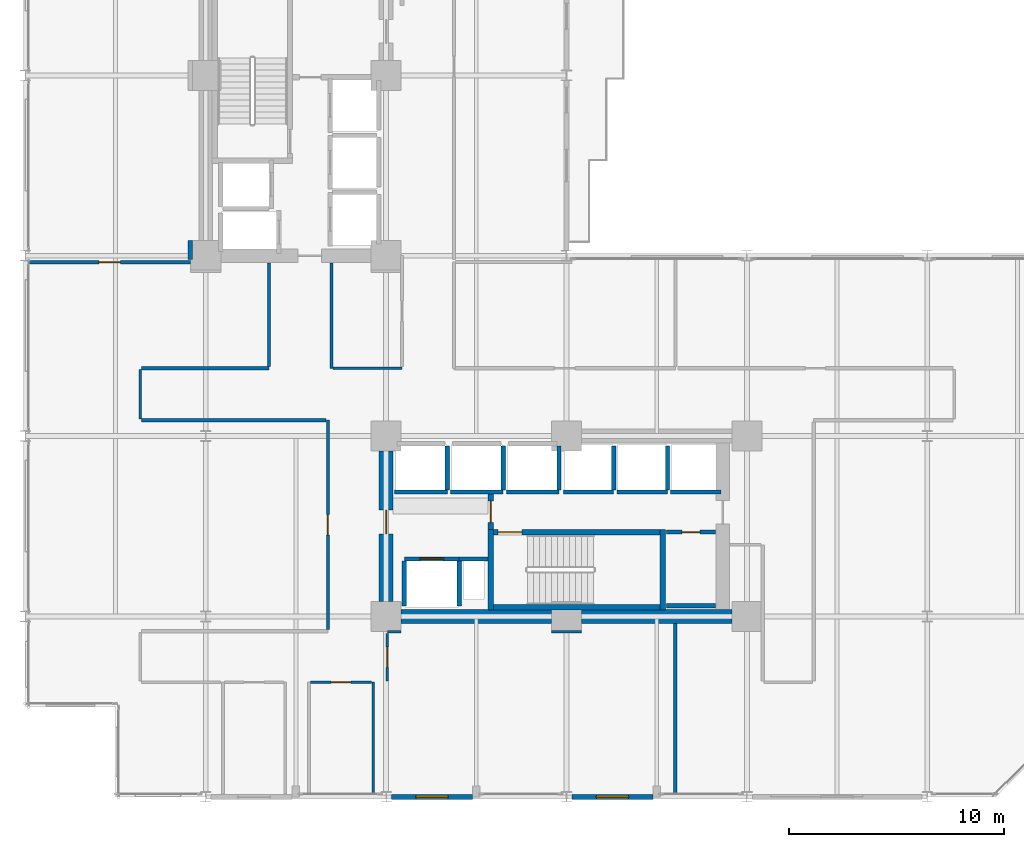
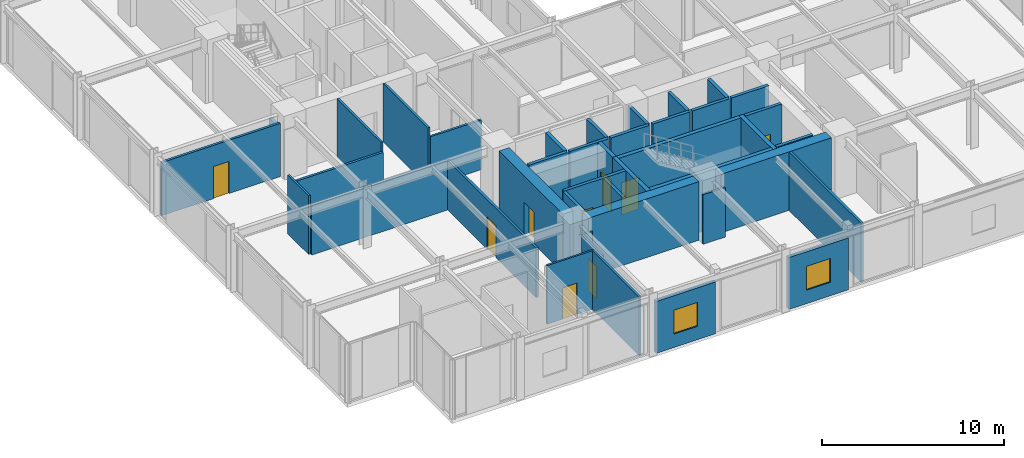
# One storey, part 19 of 24: 42 walls, 9 doors, 2 windows, 11 openings.
"""IFC4 building model written with IfcOpenShell, lengths in metres."""

import ifcopenshell
import ifcopenshell.guid

model = None  # the IFC model being written
_history = None  # IfcOwnerHistory: only IFC2X3 demands one
_inside = {}  # id of a spatial element -> (the spatial element, [elements in it])
_under = {}  # id of a project, library or spatial element -> (it, [spatial elements below it])
_declared = {}  # id of a project -> (the project, [libraries it declares])
_typed = {}  # id of a type object -> (the type object, [elements of that type])
_made_of = {}  # id of a material, layer set ... -> (it, [elements and type objects made of it])


def new_model(schema):
    """Start an empty IFC model of exactly this schema.

    Asked for "IFC4X3", IfcOpenShell would pick the latest addendum, in which some entities
    have other attributes; the version numbers below select the first issue.
    IFC2X3 requires an IfcOwnerHistory on every rooted entity: one is made here for all.
    """
    global model, _history
    if schema == "IFC4X3":
        model = ifcopenshell.file(schema_version=(4, 3, 0, 0))
    else:
        model = ifcopenshell.file(schema=schema)
    _inside.clear()
    _under.clear()
    _declared.clear()
    _typed.clear()
    _made_of.clear()
    _history = None
    if model.schema == "IFC2X3":
        org = make("IfcOrganization", Name="unknown")
        user = make(
            "IfcPersonAndOrganization",
            ThePerson=make("IfcPerson", FamilyName="unknown"),
            TheOrganization=org,
        )
        app = make(
            "IfcApplication",
            ApplicationDeveloper=org,
            Version="unknown",
            ApplicationFullName="unknown",
            ApplicationIdentifier="unknown",
        )
        _history = make(
            "IfcOwnerHistory",
            OwningUser=user,
            OwningApplication=app,
            ChangeAction="ADDED",
            CreationDate=0,
        )
    return model


def make(cls, **values):
    """One entity of the class cls with the attributes given. An attribute that is None is left unset."""
    return model.create_entity(
        cls, **{name: value for name, value in values.items() if value is not None}
    )


def rooted(cls, **values):
    """An entity with a GlobalId (a new one), such as an element, a storey or a relation."""
    return make(cls, GlobalId=ifcopenshell.guid.new(), OwnerHistory=_history, **values)


def si_unit(unit_type, name, prefix=None):
    """IfcSIUnit, for example si_unit("LENGTHUNIT", "METRE", prefix="MILLI")."""
    return make("IfcSIUnit", UnitType=unit_type, Prefix=prefix, Name=name)


def assignment(units):
    """IfcUnitAssignment: the units of a project."""
    return None if units is None else make("IfcUnitAssignment", Units=units)


def point(xyz):
    """IfcCartesianPoint."""
    return None if xyz is None else make("IfcCartesianPoint", Coordinates=xyz)


def direction(xyz):
    """IfcDirection."""
    return None if xyz is None else make("IfcDirection", DirectionRatios=xyz)


def frame(location, z_axis=None, x_axis=None):
    """IfcAxis2Placement3D, a coordinate frame: its origin and axes. An axis left out is left unset."""
    return make(
        "IfcAxis2Placement3D",
        Location=point(location),
        Axis=direction(z_axis),
        RefDirection=direction(x_axis),
    )


def frame_2d(location, x_axis=None):
    """IfcAxis2Placement2D, a coordinate frame in the plane: its origin and x axis."""
    return make(
        "IfcAxis2Placement2D", Location=point(location), RefDirection=direction(x_axis)
    )


def origin():
    """The frame at (0, 0, 0) with its axes left unset."""
    return frame((0.0, 0.0, 0.0))


def place(relative_to, where):
    """IfcLocalPlacement: puts the frame where relative to a parent placement (None: the world)."""
    return make(
        "IfcLocalPlacement", PlacementRelTo=relative_to, RelativePlacement=where
    )


def context(
    kind, dimensions, precision=None, world=None, true_north=None, identifier=None
):
    """IfcGeometricRepresentationContext, for example the 3D "Model" context."""
    return make(
        "IfcGeometricRepresentationContext",
        ContextIdentifier=identifier,
        ContextType=kind,
        CoordinateSpaceDimension=dimensions,
        Precision=precision,
        WorldCoordinateSystem=world,
        TrueNorth=true_north,
    )


def subcontext(parent, identifier, kind, view, scale=None):
    """IfcGeometricRepresentationSubContext, for example "Body" below "Model"."""
    return make(
        "IfcGeometricRepresentationSubContext",
        ContextIdentifier=identifier,
        ContextType=kind,
        ParentContext=parent,
        TargetScale=scale,
        TargetView=view,
    )


def project(units=None, contexts=None):
    """IfcProject with its units and contexts."""
    return rooted(
        "IfcProject",
        Name="project",
        RepresentationContexts=contexts,
        UnitsInContext=assignment(units),
    )


def spatial(cls, under=None, at=None, **own):
    """A site, building, storey or space (cls), placed at a placement, below another one or the project."""
    s = rooted(cls, ObjectPlacement=at, **own)
    if under is not None:
        _under.setdefault(under.id(), (under, []))[1].append(s)
    return s


def profile(cls, at=None, kind="AREA", **sizes):
    """A parametric profile (cls). Its sizes go by their IFC names, for example OverallWidth=200.0."""
    return make(cls, ProfileType=kind, Position=at, **sizes)


def rectangle(**sizes):
    """IfcRectangleProfileDef."""
    return profile("IfcRectangleProfileDef", **sizes)


def extrude(swept, where, along, depth):
    """IfcExtrudedAreaSolid: the profile swept, set in the frame where, extruded along a direction by depth."""
    return make(
        "IfcExtrudedAreaSolid",
        SweptArea=swept,
        Position=where,
        ExtrudedDirection=direction(along),
        Depth=depth,
    )


def shape(context_of_items, identifier, shape_type, items):
    """IfcShapeRepresentation: the items that make up one representation, for example the "Body"."""
    return make(
        "IfcShapeRepresentation",
        ContextOfItems=context_of_items,
        RepresentationIdentifier=identifier,
        RepresentationType=shape_type,
        Items=items,
    )


def material(Name=None, Category=None):
    """IfcMaterial."""
    return make("IfcMaterial", Name=Name, Category=Category)


def layer(
    of_material, thickness, ventilated=None, Name=None, Category=None, Priority=None
):
    """IfcMaterialLayer: one layer of a wall or slab, of a material (None: an air gap)."""
    return make(
        "IfcMaterialLayer",
        Material=of_material,
        LayerThickness=thickness,
        IsVentilated=ventilated,
        Name=Name,
        Category=Category,
        Priority=Priority,
    )


def layer_set(layers, Name=None):
    """IfcMaterialLayerSet."""
    return make("IfcMaterialLayerSet", MaterialLayers=layers, LayerSetName=Name)


def made_of(thing, what):
    """Note that an element or type object is made of a material, layer set ...; save() writes the relation."""
    if what is not None:
        _made_of.setdefault(what.id(), (what, []))[1].append(thing)
    return thing


def type_object(cls, material=None, **own):
    """A type object (cls), such as IfcWallType, which elements share."""
    return made_of(rooted(cls, **own), material)


def element(
    cls,
    number,
    at=None,
    inside=None,
    cuts=None,
    type_object=None,
    material=None,
    context=None,
    identifier="Body",
    shape_type=None,
    held_by="IfcProductDefinitionShape",
    body=None,
    shapes=None,
    **own,
):
    """One element of the class cls, such as IfcWall. Its Tag is "e" and its number.

    at: its placement. inside: the storey or other place that contains it. cuts: it is an
    opening in that element (IfcRelVoidsElement). A single representation is given by context,
    identifier, shape_type and body (its items); several are given by shapes. held_by: the class
    of the entity that holds the representations. save() writes the other relations.
    """
    e = rooted(cls, Tag="e%d" % number, ObjectPlacement=at, **own)
    if body is not None:
        shapes = [shape(context, identifier, shape_type, body)]
    if shapes is not None:
        e.Representation = make(held_by, Representations=shapes)
    if inside is not None:
        _inside.setdefault(inside.id(), (inside, []))[1].append(e)
    if cuts is not None:
        rooted(
            "IfcRelVoidsElement", RelatingBuildingElement=cuts, RelatedOpeningElement=e
        )
    if type_object is not None:
        _typed.setdefault(type_object.id(), (type_object, []))[1].append(e)
    return made_of(e, material)


def fill(opening, filler):
    """IfcRelFillsElement: the door or window that sits in an opening."""
    return rooted(
        "IfcRelFillsElement",
        RelatingOpeningElement=opening,
        RelatedBuildingElement=filler,
    )


def aggregate(whole, parts):
    """IfcRelAggregates: a whole, such as a stair, and the parts it consists of."""
    return rooted("IfcRelAggregates", RelatingObject=whole, RelatedObjects=parts)


def save(model, path):
    """Write the relations noted so far, then the file.

    IfcRelAggregates (storeys below a building ...), IfcRelContainedInSpatialStructure (elements
    in a storey), IfcRelDefinesByType, IfcRelAssociatesMaterial and IfcRelDeclares: one each for
    every whole, place, type object, material and project.
    """
    for whole, parts in _under.values():
        aggregate(whole, parts)
    for where, things in _inside.values():
        rooted(
            "IfcRelContainedInSpatialStructure",
            RelatedElements=things,
            RelatingStructure=where,
        )
    for kind, things in _typed.values():
        rooted("IfcRelDefinesByType", RelatedObjects=things, RelatingType=kind)
    for what, things in _made_of.values():
        rooted("IfcRelAssociatesMaterial", RelatedObjects=things, RelatingMaterial=what)
    for by, libraries in _declared.values():
        rooted("IfcRelDeclares", RelatingContext=by, RelatedDefinitions=libraries)
    model.write(path)


model = new_model("IFC4")

# Units and contexts
model_context = context("Model", 3, precision=1e-05, world=origin(), true_north=direction((0.0, 1.0)))
body_context = subcontext(model_context, "Body", "Model", "MODEL_VIEW")
ifc_project = project(units=[si_unit("LENGTHUNIT", "METRE"), si_unit("AREAUNIT", "SQUARE_METRE"), si_unit("VOLUMEUNIT", "CUBIC_METRE"), si_unit("PLANEANGLEUNIT", "RADIAN"), si_unit("MASSUNIT", "GRAM", prefix="KILO")], contexts=[model_context])

# Site, building, storey
site_placement = place(None, origin())
site = spatial("IfcSite", under=ifc_project, at=site_placement, CompositionType="ELEMENT")
building_placement = place(site_placement, origin())
building = spatial("IfcBuilding", under=site, at=building_placement, Name="Nerrivon Quay Data Exchange", CompositionType="ELEMENT")
storey_placement = place(building_placement, frame((0.0, 0.0, 45.800048828125)))
storey = spatial("IfcBuildingStorey", under=building, at=storey_placement, Name="L10", CompositionType="ELEMENT", Elevation=45.800048828125)

# Wall, opening, window
ifc_material_1 = material(Name="Architectural terracotta precast concrete N50 (50 MPa)", Category="masonry")
ifc_layer_1 = layer(ifc_material_1, 0.239990234375)
ifc_layer_set_1 = layer_set([ifc_layer_1], Name="Architectural terracotta precast concrete N50 (50 MPa)")
wall_type_1 = type_object("IfcWallType", Name="EW-PREC-240", PredefinedType="STANDARD", material=ifc_layer_set_1)
wall_1_placement = place(storey_placement, frame((29.22509765625, 0.0, 0.0), z_axis=(0.0, 0.0, 1.0), x_axis=(-1.0, 0.0, 0.0)))
wall_1 = element("IfcWall", 1, at=wall_1_placement, inside=storey, type_object=wall_type_1, Name="L10 Podium Precast Spandrel Wall 5", PredefinedType="STANDARD", context=body_context, shape_type="SweptSolid", body=[
    extrude(rectangle(XDim=3.775146484375, YDim=0.239990234375, at=frame_2d((1.8876953125, 0.0))), origin(), (0.0, 0.0, 1.0), 3.470947265625),
])
opening_1_placement = place(wall_1_placement, frame((1.137451171875, 0.0, 0.89990234375)))
opening_1 = element("IfcOpeningElement", 2, at=opening_1_placement, cuts=wall_1, Name="Opening WN4", PredefinedType="OPENING", context=body_context, shape_type="SweptSolid", body=[
    extrude(rectangle(XDim=1.5, YDim=1.60009765625, at=frame_2d((0.75, 0.800048828125))), frame((0.0, 0.1298828125, 0.0), z_axis=(0.0, -1.0, 0.0), x_axis=(1.0, 0.0, 0.0)), (0.0, 0.0, 1.0), 0.260009765625),
])
ifc_material_2 = material(Name="Double-glazed low-E solar control glass", Category="glass")
window_type = type_object("IfcWindowType", Name="WIN-W4-1500x1600", PartitioningType="SINGLE_PANEL", PredefinedType="WINDOW", material=ifc_material_2)
window_1_placement = place(opening_1_placement, origin())
window_1 = element("IfcWindow", 3, at=window_1_placement, inside=storey, type_object=window_type, Name="L10 Solar Facade Window 5", OverallHeight=1.60009765625, OverallWidth=1.5, PartitioningType="SINGLE_PANEL", PredefinedType="WINDOW", context=body_context, shape_type="SweptSolid", body=[
    extrude(rectangle(XDim=1.5, YDim=1.60009765625, at=frame_2d((0.75, 0.800048828125))), frame((0.0, 0.030029296875, 0.0), z_axis=(0.0, -1.0, 0.0), x_axis=(1.0, 0.0, 0.0)), (0.0, 0.0, 1.0), 0.06005859375),
])
fill(opening_1, window_1)

wall_2_placement = place(storey_placement, frame((20.824951171875, 0.0, 0.0), z_axis=(0.0, 0.0, 1.0), x_axis=(-1.0, 0.0, 0.0)))
wall_2 = element("IfcWall", 4, at=wall_2_placement, inside=storey, type_object=wall_type_1, Name="L10 Podium Precast Spandrel Wall 7", PredefinedType="STANDARD", context=body_context, shape_type="SweptSolid", body=[
    extrude(rectangle(XDim=3.77490234375, YDim=0.239990234375, at=frame_2d((1.887451171875, 0.0))), origin(), (0.0, 0.0, 1.0), 3.470947265625),
])
opening_2_placement = place(wall_2_placement, frame((1.137451171875, 0.0, 0.89990234375)))
opening_2 = element("IfcOpeningElement", 5, at=opening_2_placement, cuts=wall_2, Name="Opening WN4", PredefinedType="OPENING", context=body_context, shape_type="SweptSolid", body=[
    extrude(rectangle(XDim=1.5, YDim=1.60009765625, at=frame_2d((0.75, 0.800048828125))), frame((0.0, 0.1298828125, 0.0), z_axis=(0.0, -1.0, 0.0), x_axis=(1.0, 0.0, 0.0)), (0.0, 0.0, 1.0), 0.260009765625),
])
window_2_placement = place(opening_2_placement, origin())
window_2 = element("IfcWindow", 6, at=window_2_placement, inside=storey, type_object=window_type, Name="L10 Solar Facade Window 7", OverallHeight=1.60009765625, OverallWidth=1.5, PartitioningType="SINGLE_PANEL", PredefinedType="WINDOW", context=body_context, shape_type="SweptSolid", body=[
    extrude(rectangle(XDim=1.5, YDim=1.60009765625, at=frame_2d((0.75, 0.800048828125))), frame((0.0, 0.030029296875, 0.0), z_axis=(0.0, -1.0, 0.0), x_axis=(1.0, 0.0, 0.0)), (0.0, 0.0, 1.0), 0.06005859375),
])
fill(opening_2, window_2)

# Walls
ifc_material_3 = material(Name="Concrete N80 (80 MPa)", Category="concrete")
ifc_layer_2 = layer(ifc_material_3, 0.64990234375)
ifc_layer_set_2 = layer_set([ifc_layer_2], Name="Concrete N80 (80 MPa)")
wall_type_2 = type_object("IfcWallType", Name="WALL-CW-850", PredefinedType="SHEAR", material=ifc_layer_set_2)
for number, where, z_axis, x_axis, name in (
    (7, (17.5, 8.39990234375, 0.0), (0.0, 0.0, 1.0), (1.0, 0.0, 0.0), "L10 East Split-Core Shear Wall ECW-S1"),
    (8, (25.89990234375, 8.39990234375, 0.0), (0.0, 0.0, 1.0), (1.0, 0.0, 0.0), "L10 East Split-Core Shear Wall ECW-S2"),
):
    element("IfcWall", number, at=place(storey_placement, frame(where, z_axis=z_axis, x_axis=x_axis)), inside=storey, type_object=wall_type_2, Name=name, PredefinedType="SHEAR", context=body_context, shape_type="SweptSolid", body=[
        extrude(rectangle(XDim=7.0, YDim=0.64990234375, at=frame_2d((3.5, 0.0))), origin(), (0.0, 0.0, 1.0), 3.925048828125),
    ])

# Wall, opening, door
wall_3_placement = place(storey_placement, frame((16.800048828125, 9.10009765625, 0.0), z_axis=(0.0, 0.0, 1.0), x_axis=(0.0, 1.0, 0.0)))
wall_3 = element("IfcWall", 9, at=wall_3_placement, inside=storey, type_object=wall_type_2, Name="L10 East Split-Core Shear Wall ECW-W1", PredefinedType="SHEAR", context=body_context, shape_type="SweptSolid", body=[
    extrude(rectangle(XDim=7.0, YDim=0.64990234375, at=frame_2d((3.5, 0.0))), origin(), (0.0, 0.0, 1.0), 3.925048828125),
])
opening_3_placement = place(wall_3_placement, frame((3.14990234375, 0.0, 0.0)))
opening_3 = element("IfcOpeningElement", 10, at=opening_3_placement, cuts=wall_3, Name="Opening FD-120", PredefinedType="OPENING", context=body_context, shape_type="SweptSolid", body=[
    extrude(rectangle(XDim=1.10009765625, YDim=2.14990234375, at=frame_2d((0.550048828125, 1.074951171875))), frame((0.0, 0.3349609375, 0.0), z_axis=(0.0, -1.0, 0.0), x_axis=(1.0, 0.0, 0.0)), (0.0, 0.0, 1.0), 0.669921875),
])
ifc_material_4 = material(Name="Powder-coated galvanized steel sheet", Category="steel")
door_type_1 = type_object("IfcDoorType", Name="DR-FD120-1100", OperationType="NOTDEFINED", PredefinedType="DOOR", material=ifc_material_4)
door_1_placement = place(opening_3_placement, origin())
door_1 = element("IfcDoor", 11, at=door_1_placement, inside=storey, type_object=door_type_1, Name="L10 East Core Lobby Fire Door", OperationType="SINGLE_SWING_RIGHT", OverallHeight=2.14990234375, OverallWidth=1.10009765625, PredefinedType="DOOR", context=body_context, shape_type="SweptSolid", body=[
    extrude(rectangle(XDim=1.10009765625, YDim=2.14990234375, at=frame_2d((0.550048828125, 1.074951171875))), frame((0.0, 0.02490234375, 0.0), z_axis=(0.0, -1.0, 0.0), x_axis=(1.0, 0.0, 0.0)), (0.0, 0.0, 1.0), 0.050048828125),
])
fill(opening_3, door_1)

# Wall
ifc_material_5 = material(Name="Gypsum plasterboard on cold-formed framing", Category="gypsum")
ifc_layer_3 = layer(ifc_material_5, 0.199951171875)
ifc_layer_set_3 = layer_set([ifc_layer_3], Name="Gypsum plasterboard on cold-formed framing")
wall_type_3 = type_object("IfcWallType", Name="WALL-FW-200", PredefinedType="PARTITIONING", material=ifc_layer_set_3)
wall_4_placement = place(storey_placement, frame((20.199951171875, 11.080078125, 0.0), z_axis=(0.0, 0.0, 1.0), x_axis=(1.0, 0.0, 0.0)))
element("IfcWall", 12, at=wall_4_placement, inside=storey, type_object=wall_type_3, Name="L10 East Core MEP Riser Shaft Wall N", PredefinedType="PARTITIONING", context=body_context, shape_type="SweptSolid", body=[
    extrude(rectangle(XDim=1.35009765625, YDim=0.199951171875, at=frame_2d((0.675048828125, 0.0))), origin(), (0.0, 0.0, 1.0), 3.925048828125),
])

# Wall, opening, door
wall_5_placement = place(storey_placement, frame((17.64990234375, 11.080078125, 0.0), z_axis=(0.0, 0.0, 1.0), x_axis=(1.0, 0.0, 0.0)))
wall_5 = element("IfcWall", 13, at=wall_5_placement, inside=storey, type_object=wall_type_3, Name="L10 Lift Front Wall FFL-2", PredefinedType="PARTITIONING", context=body_context, shape_type="SweptSolid", body=[
    extrude(rectangle(XDim=2.550048828125, YDim=0.199951171875, at=frame_2d((1.27490234375, 0.0))), origin(), (0.0, 0.0, 1.0), 3.925048828125),
])
opening_4_placement = place(wall_5_placement, frame((0.72509765625, 0.0, 0.0)))
opening_4 = element("IfcOpeningElement", 14, at=opening_4_placement, cuts=wall_5, Name="Opening LD-120", PredefinedType="OPENING", context=body_context, shape_type="SweptSolid", body=[
    extrude(rectangle(XDim=1.10009765625, YDim=2.199951171875, at=frame_2d((0.550048828125, 1.10009765625))), frame((0.0, 0.10986328125, 0.0), z_axis=(0.0, -1.0, 0.0), x_axis=(1.0, 0.0, 0.0)), (0.0, 0.0, 1.0), 0.219970703125),
])
door_type_2 = type_object("IfcDoorType", Name="DR-LIFT-LD120", OperationType="DOUBLE_DOOR_SLIDING", PredefinedType="DOOR", material=ifc_material_4)
door_2_placement = place(opening_4_placement, origin())
door_2 = element("IfcDoor", 15, at=door_2_placement, inside=storey, type_object=door_type_2, Name="L10 Lift Landing Sliding Door FFL-2", OperationType="DOUBLE_DOOR_SLIDING", OverallHeight=2.199951171875, OverallWidth=1.10009765625, PredefinedType="DOOR", context=body_context, shape_type="SweptSolid", body=[
    extrude(rectangle(XDim=1.10009765625, YDim=2.199951171875, at=frame_2d((0.550048828125, 1.10009765625))), frame((0.0, 0.02490234375, 0.0), z_axis=(0.0, -1.0, 0.0), x_axis=(1.0, 0.0, 0.0)), (0.0, 0.0, 1.0), 0.050048828125),
])
fill(opening_4, door_2)

# Walls
for number, where, z_axis, x_axis, name in (
    (16, (20.199951171875, 8.8798828125, 0.0), (0.0, 0.0, 1.0), (0.0, 1.0, 0.0), "L10 Lift Shaft Wall FFL-2 EAST"),
    (17, (17.64990234375, 8.8798828125, 0.0), (0.0, 0.0, 1.0), (0.0, 1.0, 0.0), "L10 Lift Shaft Wall FFL-2 WEST"),
):
    element("IfcWall", number, at=place(storey_placement, frame(where, z_axis=z_axis, x_axis=x_axis)), inside=storey, type_object=wall_type_3, Name=name, PredefinedType="PARTITIONING", context=body_context, shape_type="SweptSolid", body=[
        extrude(rectangle(XDim=2.10009765625, YDim=0.199951171875, at=frame_2d((1.050048828125, 0.0))), origin(), (0.0, 0.0, 1.0), 3.925048828125),
    ])
wall_6_placement = place(storey_placement, frame((17.199951171875, 14.199951171875, 0.0), z_axis=(0.0, 0.0, 1.0), x_axis=(1.0, 0.0, 0.0)))
element("IfcWall", 18, at=wall_6_placement, inside=storey, type_object=wall_type_3, Name="L10 Lift Front Wall PL4", PredefinedType="PARTITIONING", context=body_context, shape_type="SweptSolid", body=[
    extrude(rectangle(XDim=2.449951171875, YDim=0.199951171875, at=frame_2d((1.22509765625, 0.0))), origin(), (0.0, 0.0, 1.0), 3.925048828125),
])
wall_7_placement = place(storey_placement, frame((19.64990234375, 14.300048828125, 0.0), z_axis=(0.0, 0.0, 1.0), x_axis=(0.0, 1.0, 0.0)))
element("IfcWall", 19, at=wall_7_placement, inside=storey, type_object=wall_type_3, Name="L10 Lift Shaft Wall PL4 EAST", PredefinedType="PARTITIONING", context=body_context, shape_type="SweptSolid", body=[
    extrude(rectangle(XDim=2.050048828125, YDim=0.199951171875, at=frame_2d((1.02490234375, 0.0))), origin(), (0.0, 0.0, 1.0), 3.925048828125),
])
wall_8_placement = place(storey_placement, frame((19.800048828125, 14.199951171875, 0.0), z_axis=(0.0, 0.0, 1.0), x_axis=(1.0, 0.0, 0.0)))
element("IfcWall", 20, at=wall_8_placement, inside=storey, type_object=wall_type_3, Name="L10 Lift Front Wall PL5", PredefinedType="PARTITIONING", context=body_context, shape_type="SweptSolid", body=[
    extrude(rectangle(XDim=2.449951171875, YDim=0.199951171875, at=frame_2d((1.22509765625, 0.0))), origin(), (0.0, 0.0, 1.0), 3.925048828125),
])
wall_9_placement = place(storey_placement, frame((22.25, 14.300048828125, 0.0), z_axis=(0.0, 0.0, 1.0), x_axis=(0.0, 1.0, 0.0)))
element("IfcWall", 21, at=wall_9_placement, inside=storey, type_object=wall_type_3, Name="L10 Lift Shaft Wall PL5 EAST", PredefinedType="PARTITIONING", context=body_context, shape_type="SweptSolid", body=[
    extrude(rectangle(XDim=2.050048828125, YDim=0.199951171875, at=frame_2d((1.02490234375, 0.0))), origin(), (0.0, 0.0, 1.0), 3.925048828125),
])
wall_10_placement = place(storey_placement, frame((22.39990234375, 14.199951171875, 0.0), z_axis=(0.0, 0.0, 1.0), x_axis=(1.0, 0.0, 0.0)))
element("IfcWall", 22, at=wall_10_placement, inside=storey, type_object=wall_type_3, Name="L10 Lift Front Wall PL6", PredefinedType="PARTITIONING", context=body_context, shape_type="SweptSolid", body=[
    extrude(rectangle(XDim=2.4501953125, YDim=0.199951171875, at=frame_2d((1.22509765625, 0.0))), origin(), (0.0, 0.0, 1.0), 3.925048828125),
])
wall_11_placement = place(storey_placement, frame((24.85009765625, 14.300048828125, 0.0), z_axis=(0.0, 0.0, 1.0), x_axis=(0.0, 1.0, 0.0)))
element("IfcWall", 23, at=wall_11_placement, inside=storey, type_object=wall_type_3, Name="L10 Lift Shaft Wall PL6 EAST", PredefinedType="PARTITIONING", context=body_context, shape_type="SweptSolid", body=[
    extrude(rectangle(XDim=2.050048828125, YDim=0.199951171875, at=frame_2d((1.02490234375, 0.0))), origin(), (0.0, 0.0, 1.0), 3.925048828125),
])
wall_12_placement = place(storey_placement, frame((25.050048828125, 14.199951171875, 0.0), z_axis=(0.0, 0.0, 1.0), x_axis=(1.0, 0.0, 0.0)))
element("IfcWall", 24, at=wall_12_placement, inside=storey, type_object=wall_type_3, Name="L10 Lift Front Wall PL7", PredefinedType="PARTITIONING", context=body_context, shape_type="SweptSolid", body=[
    extrude(rectangle(XDim=2.349853515625, YDim=0.199951171875, at=frame_2d((1.1748046875, 0.0))), origin(), (0.0, 0.0, 1.0), 3.925048828125),
])
wall_13_placement = place(storey_placement, frame((27.39990234375, 14.300048828125, 0.0), z_axis=(0.0, 0.0, 1.0), x_axis=(0.0, 1.0, 0.0)))
element("IfcWall", 25, at=wall_13_placement, inside=storey, type_object=wall_type_3, Name="L10 Lift Shaft Wall PL7 EAST", PredefinedType="PARTITIONING", context=body_context, shape_type="SweptSolid", body=[
    extrude(rectangle(XDim=2.050048828125, YDim=0.199951171875, at=frame_2d((1.02490234375, 0.0))), origin(), (0.0, 0.0, 1.0), 3.925048828125),
])
wall_14_placement = place(storey_placement, frame((27.550048828125, 14.199951171875, 0.0), z_axis=(0.0, 0.0, 1.0), x_axis=(1.0, 0.0, 0.0)))
element("IfcWall", 26, at=wall_14_placement, inside=storey, type_object=wall_type_3, Name="L10 Lift Front Wall PL8", PredefinedType="PARTITIONING", context=body_context, shape_type="SweptSolid", body=[
    extrude(rectangle(XDim=2.349853515625, YDim=0.199951171875, at=frame_2d((1.1748046875, 0.0))), origin(), (0.0, 0.0, 1.0), 3.925048828125),
])
wall_15_placement = place(storey_placement, frame((29.89990234375, 14.300048828125, 0.0), z_axis=(0.0, 0.0, 1.0), x_axis=(0.0, 1.0, 0.0)))
element("IfcWall", 27, at=wall_15_placement, inside=storey, type_object=wall_type_3, Name="L10 Lift Shaft Wall PL8 EAST", PredefinedType="PARTITIONING", context=body_context, shape_type="SweptSolid", body=[
    extrude(rectangle(XDim=2.050048828125, YDim=0.199951171875, at=frame_2d((1.02490234375, 0.0))), origin(), (0.0, 0.0, 1.0), 3.925048828125),
])
wall_16_placement = place(storey_placement, frame((30.050048828125, 14.199951171875, 0.0), z_axis=(0.0, 0.0, 1.0), x_axis=(1.0, 0.0, 0.0)))
element("IfcWall", 28, at=wall_16_placement, inside=storey, type_object=wall_type_3, Name="L10 Lift Front Wall PL9", PredefinedType="PARTITIONING", context=body_context, shape_type="SweptSolid", body=[
    extrude(rectangle(XDim=2.349853515625, YDim=0.199951171875, at=frame_2d((1.1748046875, 0.0))), origin(), (0.0, 0.0, 1.0), 3.925048828125),
])

# Wall, opening, door
wall_17_placement = place(storey_placement, frame((32.14599609375, 12.330078125, 0.0), z_axis=(0.0, 0.0, 1.0), x_axis=(-1.0, 0.0, 0.0)))
wall_17 = element("IfcWall", 29, at=wall_17_placement, inside=storey, type_object=wall_type_3, Name="L10 Partition East Supply Store", PredefinedType="PARTITIONING", context=body_context, shape_type="SweptSolid", body=[
    extrude(rectangle(XDim=2.2958984375, YDim=0.199951171875, at=frame_2d((1.14794921875, 0.0))), origin(), (0.0, 0.0, 1.0), 3.925048828125),
])
opening_5_placement = place(wall_17_placement, frame((0.722900390625, 0.0, 0.0)))
opening_5 = element("IfcOpeningElement", 30, at=opening_5_placement, cuts=wall_17, Name="Opening FD-60S", PredefinedType="OPENING", context=body_context, shape_type="SweptSolid", body=[
    extrude(rectangle(XDim=0.85009765625, YDim=2.14990234375, at=frame_2d((0.425048828125, 1.074951171875))), frame((0.0, 0.10986328125, 0.0), z_axis=(0.0, -1.0, 0.0), x_axis=(1.0, 0.0, 0.0)), (0.0, 0.0, 1.0), 0.219970703125),
])
ifc_material_6 = material(Name="Engineered hardwood timber", Category="wood")
door_type_3 = type_object("IfcDoorType", Name="DR-FD60-850", OperationType="NOTDEFINED", PredefinedType="DOOR", material=ifc_material_6)
door_3_placement = place(opening_5_placement, origin())
door_3 = element("IfcDoor", 31, at=door_3_placement, inside=storey, type_object=door_type_3, Name="L10 Door East Supply Store", OperationType="SINGLE_SWING_LEFT", OverallHeight=2.14990234375, OverallWidth=0.85009765625, PredefinedType="DOOR", context=body_context, shape_type="SweptSolid", body=[
    extrude(rectangle(XDim=0.85009765625, YDim=2.14990234375, at=frame_2d((0.425048828125, 1.074951171875))), frame((0.0, 0.02490234375, 0.0), z_axis=(0.0, -1.0, 0.0), x_axis=(1.0, 0.0, 0.0)), (0.0, 0.0, 1.0), 0.050048828125),
])
fill(opening_5, door_3)

# Walls
wall_18_placement = place(storey_placement, frame((29.85009765625, 8.89990234375, 0.0), z_axis=(0.0, 0.0, 1.0), x_axis=(1.0, 0.0, 0.0)))
element("IfcWall", 32, at=wall_18_placement, inside=storey, type_object=wall_type_3, Name="L10 Partition East Supply Store", PredefinedType="PARTITIONING", context=body_context, shape_type="SweptSolid", body=[
    extrude(rectangle(XDim=2.2958984375, YDim=0.199951171875, at=frame_2d((1.14794921875, 0.0))), origin(), (0.0, 0.0, 1.0), 3.925048828125),
])
wall_19_placement = place(storey_placement, frame((7.679931640625, 25.020751953125, 0.0), z_axis=(0.0, 0.0, 1.0), x_axis=(0.0, 1.0, 0.0)))
element("IfcWall", 33, at=wall_19_placement, inside=storey, type_object=wall_type_3, Name="L10 Partition Colocation Data Workspace 1", PredefinedType="PARTITIONING", context=body_context, shape_type="SweptSolid", body=[
    extrude(rectangle(XDim=0.879150390625, YDim=0.199951171875, at=frame_2d((0.439453125, 0.0))), origin(), (0.0, 0.0, 1.0), 3.31298828125),
])

# Wall, opening, door
ifc_layer_4 = layer(ifc_material_5, 0.1201171875)
ifc_layer_set_4 = layer_set([ifc_layer_4], Name="Gypsum plasterboard on cold-formed framing")
wall_type_4 = type_object("IfcWallType", Name="WALL-PT-120", PredefinedType="PARTITIONING", material=ifc_layer_set_4)
wall_20_placement = place(storey_placement, frame((16.12841796875, 5.340087890625, 0.0), z_axis=(0.0, 0.0, 1.0), x_axis=(-1.0, 0.0, 0.0)))
wall_20 = element("IfcWall", 34, at=wall_20_placement, inside=storey, type_object=wall_type_4, Name="L10 Partition Accessible Toilet", PredefinedType="PARTITIONING", context=body_context, shape_type="SweptSolid", body=[
    extrude(rectangle(XDim=2.85693359375, YDim=0.1201171875, at=frame_2d((1.428466796875, 0.0))), origin(), (0.0, 0.0, 1.0), 3.925048828125),
])
opening_6_placement = place(wall_20_placement, frame((0.968505859375, 0.0, 0.0)))
opening_6 = element("IfcOpeningElement", 35, at=opening_6_placement, cuts=wall_20, Name="Opening D-WC", PredefinedType="OPENING", context=body_context, shape_type="SweptSolid", body=[
    extrude(rectangle(XDim=0.919921875, YDim=2.10009765625, at=frame_2d((0.4599609375, 1.050048828125))), frame((0.0, 0.070068359375, 0.0), z_axis=(0.0, -1.0, 0.0), x_axis=(1.0, 0.0, 0.0)), (0.0, 0.0, 1.0), 0.14013671875),
])
door_type_4 = type_object("IfcDoorType", Name="DR-WC-920", OperationType="NOTDEFINED", PredefinedType="DOOR", material=ifc_material_6)
door_4_placement = place(opening_6_placement, origin())
door_4 = element("IfcDoor", 36, at=door_4_placement, inside=storey, type_object=door_type_4, Name="L10 Door Accessible Toilet", OperationType="SINGLE_SWING_RIGHT", OverallHeight=2.10009765625, OverallWidth=0.919921875, PredefinedType="DOOR", context=body_context, shape_type="SweptSolid", body=[
    extrude(rectangle(XDim=0.919921875, YDim=2.10009765625, at=frame_2d((0.4599609375, 1.050048828125))), frame((0.0, 0.02490234375, 0.0), z_axis=(0.0, -1.0, 0.0), x_axis=(1.0, 0.0, 0.0)), (0.0, 0.0, 1.0), 0.050048828125),
])
fill(opening_6, door_4)

# Walls
wall_21_placement = place(storey_placement, frame((25.90576171875, 7.680908203125, 0.0), z_axis=(0.0, 0.0, 1.0), x_axis=(-0.999999758706, -0.000694685487, 0.0)))
element("IfcWall", 37, at=wall_21_placement, inside=storey, type_object=wall_type_4, Name="L10 Partition Peering Huddle Meeting Room", PredefinedType="PARTITIONING", context=body_context, shape_type="SweptSolid", body=[
    extrude(rectangle(XDim=1.40576171875, YDim=0.1201171875, at=frame_2d((0.702880859375, 0.0))), origin(), (0.0, 0.0, 1.0), 3.322998046875),
])
wall_22_placement = place(storey_placement, frame((17.5, 7.679931640625, 0.0), z_axis=(0.0, 0.0, 1.0), x_axis=(-1.0, 0.0, 0.0)))
element("IfcWall", 38, at=wall_22_placement, inside=storey, type_object=wall_type_4, Name="L10 Partition Peering Huddle Meeting Room", PredefinedType="PARTITIONING", context=body_context, shape_type="SweptSolid", body=[
    extrude(rectangle(XDim=0.639892578125, YDim=0.1201171875, at=frame_2d((0.31982421875, 0.0))), origin(), (0.0, 0.0, 1.0), 3.322998046875),
])

# Wall, opening, door
wall_23_placement = place(storey_placement, frame((16.860107421875, 7.615966796875, 0.0), z_axis=(0.0, 0.0, 1.0), x_axis=(0.0, -1.0, 0.0)))
wall_23 = element("IfcWall", 39, at=wall_23_placement, inside=storey, type_object=wall_type_4, Name="L10 Partition Peering Huddle Meeting Room", PredefinedType="PARTITIONING", context=body_context, shape_type="SweptSolid", body=[
    extrude(rectangle(XDim=2.216064453125, YDim=0.1201171875, at=frame_2d((1.10791015625, 0.0))), origin(), (0.0, 0.0, 1.0), 3.322998046875),
])
opening_7_placement = place(wall_23_placement, frame((0.633056640625, 0.0, 0.0)))
opening_7 = element("IfcOpeningElement", 40, at=opening_7_placement, cuts=wall_23, Name="Opening D-01", PredefinedType="OPENING", context=body_context, shape_type="SweptSolid", body=[
    extrude(rectangle(XDim=0.949951171875, YDim=2.14990234375, at=frame_2d((0.47509765625, 1.074951171875))), frame((0.0, 0.070068359375, 0.0), z_axis=(0.0, -1.0, 0.0), x_axis=(1.0, 0.0, 0.0)), (0.0, 0.0, 1.0), 0.14013671875),
])
door_type_5 = type_object("IfcDoorType", Name="DR-INT-950", OperationType="NOTDEFINED", PredefinedType="DOOR", material=ifc_material_6)
door_5_placement = place(opening_7_placement, origin())
door_5 = element("IfcDoor", 41, at=door_5_placement, inside=storey, type_object=door_type_5, Name="L10 Door Peering Huddle Meeting Room", OperationType="SINGLE_SWING_RIGHT", OverallHeight=2.14990234375, OverallWidth=0.949951171875, PredefinedType="DOOR", context=body_context, shape_type="SweptSolid", body=[
    extrude(rectangle(XDim=0.949951171875, YDim=2.14990234375, at=frame_2d((0.47509765625, 1.074951171875))), frame((0.0, 0.02490234375, 0.0), z_axis=(0.0, -1.0, 0.0), x_axis=(1.0, 0.0, 0.0)), (0.0, 0.0, 1.0), 0.050048828125),
])
fill(opening_7, door_5)

# Walls
wall_24_placement = place(storey_placement, frame((5.340087890625, 17.60009765625, 0.0), z_axis=(0.0, 0.0, 1.0), x_axis=(0.0, 1.0, 0.0)))
element("IfcWall", 42, at=wall_24_placement, inside=storey, type_object=wall_type_4, Name="L10 Partition Cloud Compute Workspace 1", PredefinedType="PARTITIONING", context=body_context, shape_type="SweptSolid", body=[
    extrude(rectangle(XDim=2.2998046875, YDim=0.1201171875, at=frame_2d((1.14990234375, 0.0))), origin(), (0.0, 0.0, 1.0), 3.925048828125),
])
ifc_layer_5 = layer(ifc_material_5, 0.135009765625)
ifc_layer_set_5 = layer_set([ifc_layer_5], Name="Gypsum plasterboard on cold-formed framing")
wall_type_5 = type_object("IfcWallType", Name="WALL-PT-135", PredefinedType="PARTITIONING", material=ifc_layer_set_5)
wall_25_placement = place(storey_placement, frame((16.199951171875, 0.1689453125, 0.0), z_axis=(0.0, 0.0, 1.0), x_axis=(0.0, 1.0, 0.0)))
element("IfcWall", 43, at=wall_25_placement, inside=storey, type_object=wall_type_5, Name="L10 Partition Accessible Toilet", PredefinedType="PARTITIONING", context=body_context, shape_type="SweptSolid", body=[
    extrude(rectangle(XDim=5.171142578125, YDim=0.135009765625, at=frame_2d((2.58544921875, 0.0))), origin(), (0.0, 0.0, 1.0), 3.925048828125),
])
wall_26_placement = place(storey_placement, frame((14.260009765625, 24.87109375, 0.0), z_axis=(0.0, 0.0, 1.0), x_axis=(0.0, -1.0, 0.0)))
element("IfcWall", 44, at=wall_26_placement, inside=storey, type_object=wall_type_5, Name="L10 Partition Staff Pantry", PredefinedType="PARTITIONING", context=body_context, shape_type="SweptSolid", body=[
    extrude(rectangle(XDim=4.9111328125, YDim=0.135009765625, at=frame_2d((2.45556640625, 0.0))), origin(), (0.0, 0.0, 1.0), 3.925048828125),
])
wall_27_placement = place(storey_placement, frame((14.33154296875, 19.9599609375, 0.0), z_axis=(0.0, 0.0, 1.0), x_axis=(1.0, 0.0, 0.0)))
element("IfcWall", 45, at=wall_27_placement, inside=storey, type_object=wall_type_5, Name="L10 Partition Staff Pantry", PredefinedType="PARTITIONING", context=body_context, shape_type="SweptSolid", body=[
    extrude(rectangle(XDim=3.20849609375, YDim=0.135009765625, at=frame_2d((1.604248046875, 0.0))), origin(), (0.0, 0.0, 1.0), 3.322998046875),
])
wall_28_placement = place(storey_placement, frame((11.340087890625, 20.0390625, 0.0), z_axis=(0.0, 0.0, 1.0), x_axis=(0.0, 1.0, 0.0)))
element("IfcWall", 46, at=wall_28_placement, inside=storey, type_object=wall_type_5, Name="L10 Partition Cloud Compute Workspace 1", PredefinedType="PARTITIONING", context=body_context, shape_type="SweptSolid", body=[
    extrude(rectangle(XDim=4.83203125, YDim=0.135009765625, at=frame_2d((2.416015625, 0.0))), origin(), (0.0, 0.0, 1.0), 3.925048828125),
])
ifc_layer_6 = layer(ifc_material_5, 0.14990234375)
ifc_layer_set_6 = layer_set([ifc_layer_6], Name="Gypsum plasterboard on cold-formed framing")
wall_type_6 = type_object("IfcWallType", Name="WALL-PT-150", PredefinedType="PARTITIONING", material=ifc_layer_set_6)
wall_29_placement = place(storey_placement, frame((30.268798828125, 0.1689453125, 0.0), z_axis=(0.0, 0.0, 1.0), x_axis=(0.0, 1.0, 0.0)))
element("IfcWall", 47, at=wall_29_placement, inside=storey, type_object=wall_type_6, Name="L10 Partition Peering Huddle Meeting Room", PredefinedType="PARTITIONING", context=body_context, shape_type="SweptSolid", body=[
    extrude(rectangle(XDim=7.902099609375, YDim=0.14990234375, at=frame_2d((3.951171875, 0.0))), origin(), (0.0, 0.0, 1.0), 3.925048828125),
])

# Wall, opening, door
wall_30_placement = place(storey_placement, frame((7.679931640625, 24.90087890625, 0.0), z_axis=(0.0, 0.0, 1.0), x_axis=(-1.0, 0.0, 0.0)))
wall_30 = element("IfcWall", 48, at=wall_30_placement, inside=storey, type_object=wall_type_6, Name="L10 Partition Cloud Compute Workspace 1", PredefinedType="PARTITIONING", context=body_context, shape_type="SweptSolid", body=[
    extrude(rectangle(XDim=7.510986328125, YDim=0.14990234375, at=frame_2d((3.75537109375, 0.0))), origin(), (0.0, 0.0, 1.0), 3.56591796875),
])
opening_8_placement = place(wall_30_placement, frame((3.255615234375, 0.0, 0.0)))
opening_8 = element("IfcOpeningElement", 49, at=opening_8_placement, cuts=wall_30, Name="Opening FD-60", PredefinedType="OPENING", context=body_context, shape_type="SweptSolid", body=[
    extrude(rectangle(XDim=1.0, YDim=2.14990234375, at=frame_2d((0.5, 1.074951171875))), frame((0.0, 0.0849609375, 0.0), z_axis=(0.0, -1.0, 0.0), x_axis=(1.0, 0.0, 0.0)), (0.0, 0.0, 1.0), 0.169921875),
])
door_type_6 = type_object("IfcDoorType", Name="DR-FD60-1000", OperationType="NOTDEFINED", PredefinedType="DOOR", material=ifc_material_6)
door_6_placement = place(opening_8_placement, origin())
door_6 = element("IfcDoor", 50, at=door_6_placement, inside=storey, type_object=door_type_6, Name="L10 Door Colocation Data Workspace 1", OperationType="SINGLE_SWING_LEFT", OverallHeight=2.14990234375, OverallWidth=1.0, PredefinedType="DOOR", context=body_context, shape_type="SweptSolid", body=[
    extrude(rectangle(XDim=1.0, YDim=2.14990234375, at=frame_2d((0.5, 1.074951171875))), frame((0.0, 0.02490234375, 0.0), z_axis=(0.0, -1.0, 0.0), x_axis=(1.0, 0.0, 0.0)), (0.0, 0.0, 1.0), 0.050048828125),
])
fill(opening_8, door_6)

wall_31_placement = place(storey_placement, frame((14.090087890625, 7.7890625, 0.0), z_axis=(0.0, 0.0, 1.0), x_axis=(0.0, 1.0, 0.0)))
wall_31 = element("IfcWall", 51, at=wall_31_placement, inside=storey, type_object=wall_type_6, Name="L10 Partition Cloud Compute Workspace 1", PredefinedType="PARTITIONING", context=body_context, shape_type="SweptSolid", body=[
    extrude(rectangle(XDim=9.7509765625, YDim=0.14990234375, at=frame_2d((4.87548828125, 0.0))), origin(), (0.0, 0.0, 1.0), 3.31298828125),
])
opening_9_placement = place(wall_31_placement, frame((4.400390625, 0.0, 0.0)))
opening_9 = element("IfcOpeningElement", 52, at=opening_9_placement, cuts=wall_31, Name="Opening D-01", PredefinedType="OPENING", context=body_context, shape_type="SweptSolid", body=[
    extrude(rectangle(XDim=0.949951171875, YDim=2.14990234375, at=frame_2d((0.47509765625, 1.074951171875))), frame((0.0, 0.0849609375, 0.0), z_axis=(0.0, -1.0, 0.0), x_axis=(1.0, 0.0, 0.0)), (0.0, 0.0, 1.0), 0.169921875),
])
door_7_placement = place(opening_9_placement, origin())
door_7 = element("IfcDoor", 53, at=door_7_placement, inside=storey, type_object=door_type_5, Name="L10 Door Cloud Compute Workspace 1", OperationType="SINGLE_SWING_RIGHT", OverallHeight=2.14990234375, OverallWidth=0.949951171875, PredefinedType="DOOR", context=body_context, shape_type="SweptSolid", body=[
    extrude(rectangle(XDim=0.949951171875, YDim=2.14990234375, at=frame_2d((0.47509765625, 1.074951171875))), frame((0.0, 0.02490234375, 0.0), z_axis=(0.0, -1.0, 0.0), x_axis=(1.0, 0.0, 0.0)), (0.0, 0.0, 1.0), 0.050048828125),
])
fill(opening_9, door_7)

# Walls
wall_32_placement = place(storey_placement, frame((14.010986328125, 17.5400390625, 0.0), z_axis=(0.0, 0.0, 1.0), x_axis=(-1.0, 0.0, 0.0)))
element("IfcWall", 54, at=wall_32_placement, inside=storey, type_object=wall_type_6, Name="L10 Partition Cloud Compute Workspace 1", PredefinedType="PARTITIONING", context=body_context, shape_type="SweptSolid", body=[
    extrude(rectangle(XDim=8.611083984375, YDim=0.14990234375, at=frame_2d((4.3056640625, 0.0))), origin(), (0.0, 0.0, 1.0), 3.322998046875),
])
wall_33_placement = place(storey_placement, frame((5.39990234375, 19.9599609375, 0.0), z_axis=(0.0, 0.0, 1.0), x_axis=(1.0, 0.0, 0.0)))
element("IfcWall", 55, at=wall_33_placement, inside=storey, type_object=wall_type_6, Name="L10 Partition Cloud Compute Workspace 1", PredefinedType="PARTITIONING", context=body_context, shape_type="SweptSolid", body=[
    extrude(rectangle(XDim=5.940185546875, YDim=0.14990234375, at=frame_2d((2.97021484375, 0.0))), origin(), (0.0, 0.0, 1.0), 3.322998046875),
])
ifc_material_7 = material(Name="Concrete N50 (50 MPa)", Category="concrete")
ifc_layer_7 = layer(ifc_material_7, 0.25)
ifc_layer_set_7 = layer_set([ifc_layer_7], Name="Concrete N50 (50 MPa)")
wall_type_7 = type_object("IfcWallType", Name="WALL-SW-250", PredefinedType="SHEAR", material=ifc_layer_set_7)
for number, where, z_axis, x_axis, name in (
    (56, (21.675048828125, 8.699951171875, 0.0), (0.0, 0.0, 1.0), (0.0, 1.0, 0.0), "L10 ST02 Structural Stair Core Wall NEAR"),
    (57, (29.675048828125, 8.699951171875, 0.0), (0.0, 0.0, 1.0), (0.0, 1.0, 0.0), "L10 ST02 Structural Stair Core Wall FAR"),
):
    element("IfcWall", number, at=place(storey_placement, frame(where, z_axis=z_axis, x_axis=x_axis)), inside=storey, type_object=wall_type_7, Name=name, PredefinedType="SHEAR", context=body_context, shape_type="SweptSolid", body=[
        extrude(rectangle(XDim=3.75, YDim=0.25, at=frame_2d((1.875, 0.0))), origin(), (0.0, 0.0, 1.0), 3.925048828125),
    ])
wall_34_placement = place(storey_placement, frame((21.800048828125, 8.824951171875, 0.0), z_axis=(0.0, 0.0, 1.0), x_axis=(1.0, 0.0, 0.0)))
element("IfcWall", 58, at=wall_34_placement, inside=storey, type_object=wall_type_7, Name="L10 ST02 Structural Stair Core Wall LEFT", PredefinedType="SHEAR", context=body_context, shape_type="SweptSolid", body=[
    extrude(rectangle(XDim=7.75, YDim=0.25, at=frame_2d((3.875, 0.0))), origin(), (0.0, 0.0, 1.0), 3.925048828125),
])

# Wall, opening, door
wall_35_placement = place(storey_placement, frame((21.800048828125, 12.324951171875, 0.0), z_axis=(0.0, 0.0, 1.0), x_axis=(1.0, 0.0, 0.0)))
wall_35 = element("IfcWall", 59, at=wall_35_placement, inside=storey, type_object=wall_type_7, Name="L10 ST02 Structural Stair Core Wall RIGHT", PredefinedType="SHEAR", context=body_context, shape_type="SweptSolid", body=[
    extrude(rectangle(XDim=7.75, YDim=0.25, at=frame_2d((3.875, 0.0))), origin(), (0.0, 0.0, 1.0), 3.925048828125),
])
opening_10_placement = place(wall_35_placement, frame((0.219970703125, 0.0, 0.0)))
opening_10 = element("IfcOpeningElement", 60, at=opening_10_placement, cuts=wall_35, Name="Opening FD-120", PredefinedType="OPENING", context=body_context, shape_type="SweptSolid", body=[
    extrude(rectangle(XDim=1.10009765625, YDim=2.14990234375, at=frame_2d((0.550048828125, 1.074951171875))), frame((0.0, 0.135009765625, 0.0), z_axis=(0.0, -1.0, 0.0), x_axis=(1.0, 0.0, 0.0)), (0.0, 0.0, 1.0), 0.27001953125),
])
door_8_placement = place(opening_10_placement, origin())
door_8 = element("IfcDoor", 61, at=door_8_placement, inside=storey, type_object=door_type_1, Name="L10 Protected Stair Door ST02", OperationType="SINGLE_SWING_RIGHT", OverallHeight=2.14990234375, OverallWidth=1.10009765625, PredefinedType="DOOR", context=body_context, shape_type="SweptSolid", body=[
    extrude(rectangle(XDim=1.10009765625, YDim=2.14990234375, at=frame_2d((0.550048828125, 1.074951171875))), frame((0.0, 0.02490234375, 0.0), z_axis=(0.0, -1.0, 0.0), x_axis=(1.0, 0.0, 0.0)), (0.0, 0.0, 1.0), 0.050048828125),
])
fill(opening_10, door_8)

wall_36_placement = place(storey_placement, frame((21.679931640625, 12.449951171875, 0.0), z_axis=(0.0, 0.0, 1.0), x_axis=(0.0, 1.0, 0.0)))
wall_36 = element("IfcWall", 62, at=wall_36_placement, inside=storey, type_object=wall_type_7, Name="L10 East Firefighting Lobby Wall", PredefinedType="SHEAR", context=body_context, shape_type="SweptSolid", body=[
    extrude(rectangle(XDim=1.650146484375, YDim=0.25, at=frame_2d((0.8251953125, 0.0))), origin(), (0.0, 0.0, 1.0), 3.925048828125),
])
opening_11_placement = place(wall_36_placement, frame((0.324951171875, 0.0, 0.0)))
opening_11 = element("IfcOpeningElement", 63, at=opening_11_placement, cuts=wall_36, Name="Opening FD-60", PredefinedType="OPENING", context=body_context, shape_type="SweptSolid", body=[
    extrude(rectangle(XDim=1.0, YDim=2.14990234375, at=frame_2d((0.5, 1.074951171875))), frame((0.0, 0.135009765625, 0.0), z_axis=(0.0, -1.0, 0.0), x_axis=(1.0, 0.0, 0.0)), (0.0, 0.0, 1.0), 0.27001953125),
])
door_9_placement = place(opening_11_placement, origin())
door_9 = element("IfcDoor", 64, at=door_9_placement, inside=storey, type_object=door_type_6, Name="L10 East Firefighting Lobby Fire Door", OperationType="SINGLE_SWING_RIGHT", OverallHeight=2.14990234375, OverallWidth=1.0, PredefinedType="DOOR", context=body_context, shape_type="SweptSolid", body=[
    extrude(rectangle(XDim=1.0, YDim=2.14990234375, at=frame_2d((0.5, 1.074951171875))), frame((0.0, 0.02490234375, 0.0), z_axis=(0.0, -1.0, 0.0), x_axis=(1.0, 0.0, 0.0)), (0.0, 0.0, 1.0), 0.050048828125),
])
fill(opening_11, door_9)

save(model, "model.ifc")
